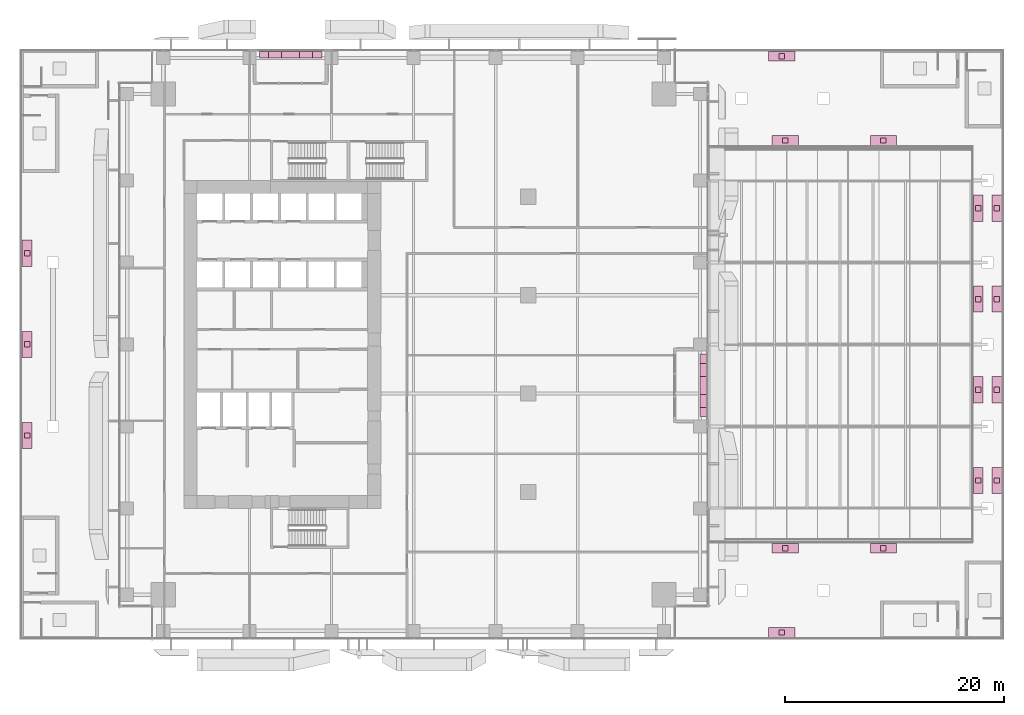
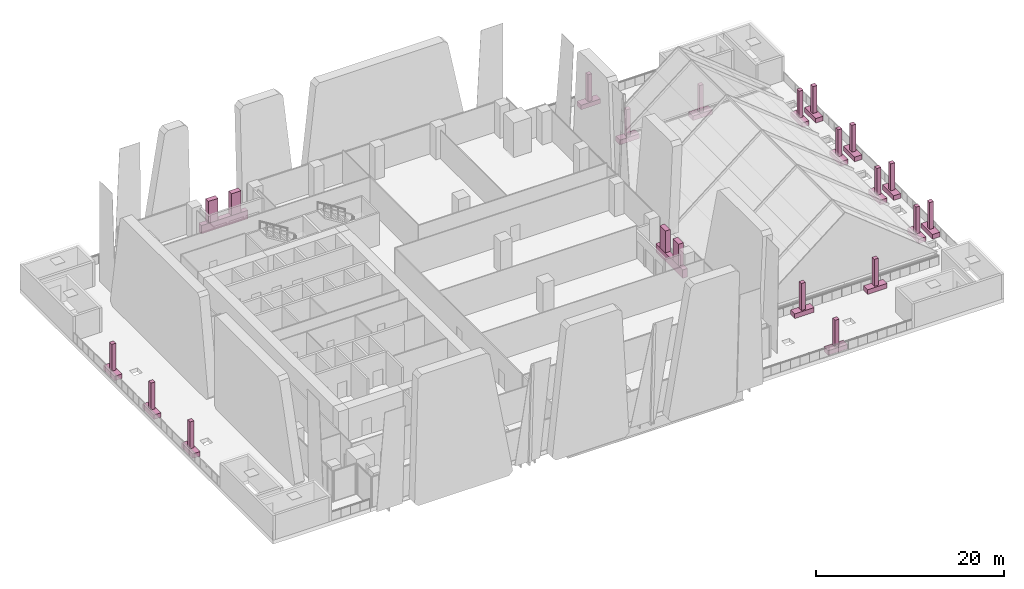
# One storey, part 46 of 46: 40 furnishings.
"""IFC4 building model written with IfcOpenShell, lengths in metres."""

import ifcopenshell
import ifcopenshell.guid

model = None  # the IFC model being written
_history = None  # IfcOwnerHistory: only IFC2X3 demands one
_inside = {}  # id of a spatial element -> (the spatial element, [elements in it])
_under = {}  # id of a project, library or spatial element -> (it, [spatial elements below it])
_declared = {}  # id of a project -> (the project, [libraries it declares])
_typed = {}  # id of a type object -> (the type object, [elements of that type])
_made_of = {}  # id of a material, layer set ... -> (it, [elements and type objects made of it])


def new_model(schema):
    """Start an empty IFC model of exactly this schema.

    Asked for "IFC4X3", IfcOpenShell would pick the latest addendum, in which some entities
    have other attributes; the version numbers below select the first issue.
    IFC2X3 requires an IfcOwnerHistory on every rooted entity: one is made here for all.
    """
    global model, _history
    if schema == "IFC4X3":
        model = ifcopenshell.file(schema_version=(4, 3, 0, 0))
    else:
        model = ifcopenshell.file(schema=schema)
    _inside.clear()
    _under.clear()
    _declared.clear()
    _typed.clear()
    _made_of.clear()
    _history = None
    if model.schema == "IFC2X3":
        org = make("IfcOrganization", Name="unknown")
        user = make(
            "IfcPersonAndOrganization",
            ThePerson=make("IfcPerson", FamilyName="unknown"),
            TheOrganization=org,
        )
        app = make(
            "IfcApplication",
            ApplicationDeveloper=org,
            Version="unknown",
            ApplicationFullName="unknown",
            ApplicationIdentifier="unknown",
        )
        _history = make(
            "IfcOwnerHistory",
            OwningUser=user,
            OwningApplication=app,
            ChangeAction="ADDED",
            CreationDate=0,
        )
    return model


def make(cls, **values):
    """One entity of the class cls with the attributes given. An attribute that is None is left unset."""
    return model.create_entity(
        cls, **{name: value for name, value in values.items() if value is not None}
    )


def rooted(cls, **values):
    """An entity with a GlobalId (a new one), such as an element, a storey or a relation."""
    return make(cls, GlobalId=ifcopenshell.guid.new(), OwnerHistory=_history, **values)


def si_unit(unit_type, name, prefix=None):
    """IfcSIUnit, for example si_unit("LENGTHUNIT", "METRE", prefix="MILLI")."""
    return make("IfcSIUnit", UnitType=unit_type, Prefix=prefix, Name=name)


def assignment(units):
    """IfcUnitAssignment: the units of a project."""
    return None if units is None else make("IfcUnitAssignment", Units=units)


def point(xyz):
    """IfcCartesianPoint."""
    return None if xyz is None else make("IfcCartesianPoint", Coordinates=xyz)


def direction(xyz):
    """IfcDirection."""
    return None if xyz is None else make("IfcDirection", DirectionRatios=xyz)


def frame(location, z_axis=None, x_axis=None):
    """IfcAxis2Placement3D, a coordinate frame: its origin and axes. An axis left out is left unset."""
    return make(
        "IfcAxis2Placement3D",
        Location=point(location),
        Axis=direction(z_axis),
        RefDirection=direction(x_axis),
    )


def frame_2d(location, x_axis=None):
    """IfcAxis2Placement2D, a coordinate frame in the plane: its origin and x axis."""
    return make(
        "IfcAxis2Placement2D", Location=point(location), RefDirection=direction(x_axis)
    )


def origin():
    """The frame at (0, 0, 0) with its axes left unset."""
    return frame((0.0, 0.0, 0.0))


def origin_2d():
    """The frame at (0, 0) in the plane with its x axis left unset."""
    return frame_2d((0.0, 0.0))


def place(relative_to, where):
    """IfcLocalPlacement: puts the frame where relative to a parent placement (None: the world)."""
    return make(
        "IfcLocalPlacement", PlacementRelTo=relative_to, RelativePlacement=where
    )


def context(
    kind, dimensions, precision=None, world=None, true_north=None, identifier=None
):
    """IfcGeometricRepresentationContext, for example the 3D "Model" context."""
    return make(
        "IfcGeometricRepresentationContext",
        ContextIdentifier=identifier,
        ContextType=kind,
        CoordinateSpaceDimension=dimensions,
        Precision=precision,
        WorldCoordinateSystem=world,
        TrueNorth=true_north,
    )


def subcontext(parent, identifier, kind, view, scale=None):
    """IfcGeometricRepresentationSubContext, for example "Body" below "Model"."""
    return make(
        "IfcGeometricRepresentationSubContext",
        ContextIdentifier=identifier,
        ContextType=kind,
        ParentContext=parent,
        TargetScale=scale,
        TargetView=view,
    )


def project(units=None, contexts=None):
    """IfcProject with its units and contexts."""
    return rooted(
        "IfcProject",
        Name="project",
        RepresentationContexts=contexts,
        UnitsInContext=assignment(units),
    )


def spatial(cls, under=None, at=None, **own):
    """A site, building, storey or space (cls), placed at a placement, below another one or the project."""
    s = rooted(cls, ObjectPlacement=at, **own)
    if under is not None:
        _under.setdefault(under.id(), (under, []))[1].append(s)
    return s


def profile(cls, at=None, kind="AREA", **sizes):
    """A parametric profile (cls). Its sizes go by their IFC names, for example OverallWidth=200.0."""
    return make(cls, ProfileType=kind, Position=at, **sizes)


def rectangle(**sizes):
    """IfcRectangleProfileDef."""
    return profile("IfcRectangleProfileDef", **sizes)


def extrude(swept, where, along, depth):
    """IfcExtrudedAreaSolid: the profile swept, set in the frame where, extruded along a direction by depth."""
    return make(
        "IfcExtrudedAreaSolid",
        SweptArea=swept,
        Position=where,
        ExtrudedDirection=direction(along),
        Depth=depth,
    )


def shape(context_of_items, identifier, shape_type, items):
    """IfcShapeRepresentation: the items that make up one representation, for example the "Body"."""
    return make(
        "IfcShapeRepresentation",
        ContextOfItems=context_of_items,
        RepresentationIdentifier=identifier,
        RepresentationType=shape_type,
        Items=items,
    )


def source(mapping_origin, context_of_items, identifier, shape_type, items):
    """IfcRepresentationMap: a shape defined once, which mapped items show again and again."""
    return make(
        "IfcRepresentationMap",
        MappingOrigin=mapping_origin,
        MappedRepresentation=shape(context_of_items, identifier, shape_type, items),
    )


def transform(
    local_origin,
    x_axis=None,
    y_axis=None,
    z_axis=None,
    scale=None,
    scale2=None,
    scale3=None,
    uniform=True,
):
    """IfcCartesianTransformationOperator3D, or its non-uniform kind. x_axis, y_axis, z_axis: its Axis1, 2, 3."""
    if uniform:
        return make(
            "IfcCartesianTransformationOperator3D",
            Axis1=direction(x_axis),
            Axis2=direction(y_axis),
            LocalOrigin=point(local_origin),
            Scale=scale,
            Axis3=direction(z_axis),
        )
    return make(
        "IfcCartesianTransformationOperator3DnonUniform",
        Axis1=direction(x_axis),
        Axis2=direction(y_axis),
        LocalOrigin=point(local_origin),
        Scale=scale,
        Axis3=direction(z_axis),
        Scale2=scale2,
        Scale3=scale3,
    )


def mapped(mapping_source, mapping_target):
    """IfcMappedItem: shows the shape of a source again, moved by a transform."""
    return make(
        "IfcMappedItem", MappingSource=mapping_source, MappingTarget=mapping_target
    )


def material(Name=None, Category=None):
    """IfcMaterial."""
    return make("IfcMaterial", Name=Name, Category=Category)


def made_of(thing, what):
    """Note that an element or type object is made of a material, layer set ...; save() writes the relation."""
    if what is not None:
        _made_of.setdefault(what.id(), (what, []))[1].append(thing)
    return thing


def type_object(cls, material=None, **own):
    """A type object (cls), such as IfcWallType, which elements share."""
    return made_of(rooted(cls, **own), material)


def element(
    cls,
    number,
    at=None,
    inside=None,
    cuts=None,
    type_object=None,
    material=None,
    context=None,
    identifier="Body",
    shape_type=None,
    held_by="IfcProductDefinitionShape",
    body=None,
    shapes=None,
    **own,
):
    """One element of the class cls, such as IfcWall. Its Tag is "e" and its number.

    at: its placement. inside: the storey or other place that contains it. cuts: it is an
    opening in that element (IfcRelVoidsElement). A single representation is given by context,
    identifier, shape_type and body (its items); several are given by shapes. held_by: the class
    of the entity that holds the representations. save() writes the other relations.
    """
    e = rooted(cls, Tag="e%d" % number, ObjectPlacement=at, **own)
    if body is not None:
        shapes = [shape(context, identifier, shape_type, body)]
    if shapes is not None:
        e.Representation = make(held_by, Representations=shapes)
    if inside is not None:
        _inside.setdefault(inside.id(), (inside, []))[1].append(e)
    if cuts is not None:
        rooted(
            "IfcRelVoidsElement", RelatingBuildingElement=cuts, RelatedOpeningElement=e
        )
    if type_object is not None:
        _typed.setdefault(type_object.id(), (type_object, []))[1].append(e)
    return made_of(e, material)


def aggregate(whole, parts):
    """IfcRelAggregates: a whole, such as a stair, and the parts it consists of."""
    return rooted("IfcRelAggregates", RelatingObject=whole, RelatedObjects=parts)


def save(model, path):
    """Write the relations noted so far, then the file.

    IfcRelAggregates (storeys below a building ...), IfcRelContainedInSpatialStructure (elements
    in a storey), IfcRelDefinesByType, IfcRelAssociatesMaterial and IfcRelDeclares: one each for
    every whole, place, type object, material and project.
    """
    for whole, parts in _under.values():
        aggregate(whole, parts)
    for where, things in _inside.values():
        rooted(
            "IfcRelContainedInSpatialStructure",
            RelatedElements=things,
            RelatingStructure=where,
        )
    for kind, things in _typed.values():
        rooted("IfcRelDefinesByType", RelatedObjects=things, RelatingType=kind)
    for what, things in _made_of.values():
        rooted("IfcRelAssociatesMaterial", RelatedObjects=things, RelatingMaterial=what)
    for by, libraries in _declared.values():
        rooted("IfcRelDeclares", RelatingContext=by, RelatedDefinitions=libraries)
    model.write(path)


model = new_model("IFC4")

# Units and contexts
model_context = context("Model", 3, precision=1e-05, world=origin(), true_north=direction((0.0, 1.0)))
body_context = subcontext(model_context, "Body", "Model", "MODEL_VIEW")
ifc_project = project(units=[si_unit("LENGTHUNIT", "METRE"), si_unit("AREAUNIT", "SQUARE_METRE"), si_unit("VOLUMEUNIT", "CUBIC_METRE"), si_unit("PLANEANGLEUNIT", "RADIAN"), si_unit("MASSUNIT", "GRAM", prefix="KILO")], contexts=[model_context])

# Site, building, storey
site_placement = place(None, origin())
site = spatial("IfcSite", under=ifc_project, at=site_placement, CompositionType="ELEMENT")
building_placement = place(site_placement, origin())
building = spatial("IfcBuilding", under=site, at=building_placement, Name="Khomas Fold Tower", CompositionType="ELEMENT")
storey_placement = place(building_placement, frame((0.0, 0.0, 33.0)))
storey = spatial("IfcBuildingStorey", under=building, at=storey_placement, Name="L06", CompositionType="ELEMENT", Elevation=33.0)

# Furnishings
ifc_material_1 = material(Name="Precast concrete C40/50", Category="concrete")
furnishing_element_type_1 = type_object("IfcFurnishingElementType", Name="BL-Structural planter box", material=ifc_material_1)
shared_shape_1 = source(origin(), body_context, "Body", "SweptSolid", [
    extrude(rectangle(XDim=5.699951171875, YDim=0.60009765625, at=origin_2d()), origin(), (0.0, 0.0, 1.0), 1.10009765625),
])
for number, where, z_axis, x_axis, name in (
    (1, (15.75, 53.5, -0.045166015625), (0.0, 0.0, 1.0), (1.0, 0.0, 0.0), "PLANTER BAL-L06-N1"),
    (2, (53.5, 23.25, -0.045166015625), (0.0, 0.0, 1.0), (0.0, 1.0, 0.0), "PLANTER BAL-L06-E2"),
):
    element("IfcFurnishingElement", number, at=place(storey_placement, frame(where, z_axis=z_axis, x_axis=x_axis)), inside=storey, type_object=furnishing_element_type_1, Name=name, context=body_context, shape_type="MappedRepresentation", body=[
        mapped(shared_shape_1, transform((0.0, 0.0, 0.0))),
    ])
ifc_material_2 = material(Name="Planting")
furnishing_element_type_2 = type_object("IfcFurnishingElementType", Name="BL-Tree Karee", material=ifc_material_2)
shared_shape_2 = source(origin(), body_context, "Body", "SweptSolid", [
    extrude(rectangle(XDim=1.199951171875, YDim=0.60009765625, at=origin_2d()), origin(), (0.0, 0.0, 1.0), 2.844970703125),
])
furnishing_1_placement = place(storey_placement, frame((14.324951171875, 53.5, 1.05517578125), z_axis=(0.0, 0.0, 1.0), x_axis=(1.0, 0.0, 0.0)))
element("IfcFurnishingElement", 3, at=furnishing_1_placement, inside=storey, type_object=furnishing_element_type_2, Name="PLANTER (TREE) Karee BAL-L06-N1-1", context=body_context, shape_type="MappedRepresentation", body=[
    mapped(shared_shape_2, transform((0.0, 0.0, 0.0))),
])
ifc_material_3 = material(Name="Planting")
furnishing_element_type_3 = type_object("IfcFurnishingElementType", Name="BL-Tree Wild olive", material=ifc_material_3)
furnishing_2_placement = place(storey_placement, frame((17.175048828125, 53.5, 1.05517578125), z_axis=(0.0, 0.0, 1.0), x_axis=(1.0, 0.0, 0.0)))
element("IfcFurnishingElement", 4, at=furnishing_2_placement, inside=storey, type_object=furnishing_element_type_3, Name="PLANTER (TREE) Wild olive BAL-L06-N1-2", context=body_context, shape_type="MappedRepresentation", body=[
    mapped(shared_shape_2, transform((0.0, 0.0, 0.0))),
])
furnishing_3_placement = place(storey_placement, frame((53.5, 21.824951171875, 1.05517578125), z_axis=(0.0, 0.0, 1.0), x_axis=(0.0, 1.0, 0.0)))
element("IfcFurnishingElement", 5, at=furnishing_3_placement, inside=storey, type_object=furnishing_element_type_2, Name="PLANTER (TREE) Karee BAL-L06-E2-1", context=body_context, shape_type="MappedRepresentation", body=[
    mapped(shared_shape_2, transform((0.0, 0.0, 0.0))),
])
furnishing_4_placement = place(storey_placement, frame((53.5, 24.675048828125, 1.05517578125), z_axis=(0.0, 0.0, 1.0), x_axis=(0.0, 1.0, 0.0)))
element("IfcFurnishingElement", 6, at=furnishing_4_placement, inside=storey, type_object=furnishing_element_type_3, Name="PLANTER (TREE) Wild olive BAL-L06-E2-2", context=body_context, shape_type="MappedRepresentation", body=[
    mapped(shared_shape_2, transform((0.0, 0.0, 0.0))),
])
ifc_material_4 = material(Name="Precast concrete C40/50", Category="concrete")
furnishing_element_type_4 = type_object("IfcFurnishingElementType", Name="Podium planter box", material=ifc_material_4)
shared_shape_3 = source(origin(), body_context, "Body", "SweptSolid", [
    extrude(rectangle(XDim=2.39990234375, YDim=0.89990234375, at=origin_2d()), origin(), (0.0, 0.0, 1.0), 0.60009765625),
])
for number, where, z_axis, x_axis, name in (
    (7, (80.35009765625, 39.449951171875, 0.0), (0.0, 0.0, 1.0), (0.0, -1.0, 0.0), "Roof garden planter"),
    (8, (80.35009765625, 31.14990234375, 0.0), (0.0, 0.0, 1.0), (0.0, -1.0, 0.0), "Roof garden planter"),
    (9, (80.35009765625, 22.85009765625, 0.0), (0.0, 0.0, 1.0), (0.0, -1.0, 0.0), "Roof garden planter"),
    (10, (80.35009765625, 14.550048828125, 0.0), (0.0, 0.0, 1.0), (0.0, -1.0, 0.0), "Roof garden planter"),
    (11, (60.672119140625, 0.64990234375, 0.0), (0.0, 0.0, 1.0), (-1.0, 0.0, 0.0), "Roof garden planter"),
    (12, (60.99169921875, 8.35009765625, 0.0), (0.0, 0.0, 1.0), (1.0, 0.0, 0.0), "Roof garden planter"),
    (13, (69.97509765625, 8.35009765625, 0.0), (0.0, 0.0, 1.0), (1.0, 0.0, 0.0), "Roof garden planter"),
    (14, (78.64990234375, 14.550048828125, 0.0), (0.0, 0.0, 1.0), (0.0, 1.0, 0.0), "Roof garden planter"),
    (15, (78.64990234375, 22.85009765625, 0.0), (0.0, 0.0, 1.0), (0.0, 1.0, 0.0), "Roof garden planter"),
    (16, (78.64990234375, 31.14990234375, 0.0), (0.0, 0.0, 1.0), (0.0, 1.0, 0.0), "Roof garden planter"),
    (17, (78.64990234375, 39.449951171875, 0.0), (0.0, 0.0, 1.0), (0.0, 1.0, 0.0), "Roof garden planter"),
    (18, (69.97509765625, 45.64990234375, 0.0), (0.0, 0.0, 1.0), (-1.0, 0.0, 0.0), "Roof garden planter"),
    (19, (60.99169921875, 45.64990234375, 0.0), (0.0, 0.0, 1.0), (-1.0, 0.0, 0.0), "Roof garden planter"),
    (20, (60.672119140625, 53.35009765625, 0.0), (0.0, 0.0, 1.0), (1.0, 0.0, 0.0), "Roof garden planter"),
    (21, (-8.35009765625, 18.666748046875, 0.0), (0.0, 0.0, 1.0), (0.0, 1.0, 0.0), "Roof garden planter"),
    (22, (-8.35009765625, 27.0, 0.0), (0.0, 0.0, 1.0), (0.0, 1.0, 0.0), "Roof garden planter"),
    (23, (-8.35009765625, 35.333251953125, 0.0), (0.0, 0.0, 1.0), (0.0, 1.0, 0.0), "Roof garden planter"),
):
    element("IfcFurnishingElement", number, at=place(storey_placement, frame(where, z_axis=z_axis, x_axis=x_axis)), inside=storey, type_object=furnishing_element_type_4, Name=name, context=body_context, shape_type="MappedRepresentation", body=[
        mapped(shared_shape_3, transform((0.0, 0.0, 0.0))),
    ])
ifc_material_5 = material(Name="Planting")
furnishing_element_type_5 = type_object("IfcFurnishingElementType", Name="Podium tree", material=ifc_material_5)
shared_shape_4 = source(origin(), body_context, "Body", "SweptSolid", [
    extrude(rectangle(XDim=0.5, YDim=0.5, at=origin_2d()), origin(), (0.0, 0.0, 1.0), 3.5),
])
for number, where, z_axis, x_axis, name in (
    (24, (80.35009765625, 39.449951171875, 0.60009765625), (0.0, 0.0, 1.0), (1.0, 0.0, 0.0), "Roof garden tree"),
    (25, (80.35009765625, 31.14990234375, 0.60009765625), (0.0, 0.0, 1.0), (1.0, 0.0, 0.0), "Roof garden tree"),
    (26, (80.35009765625, 22.85009765625, 0.60009765625), (0.0, 0.0, 1.0), (1.0, 0.0, 0.0), "Roof garden tree"),
    (27, (80.35009765625, 14.550048828125, 0.60009765625), (0.0, 0.0, 1.0), (1.0, 0.0, 0.0), "Roof garden tree"),
    (28, (60.672119140625, 0.64990234375, 0.60009765625), (0.0, 0.0, 1.0), (1.0, 0.0, 0.0), "Roof garden tree"),
    (29, (60.99169921875, 8.35009765625, 0.60009765625), (0.0, 0.0, 1.0), (1.0, 0.0, 0.0), "Roof garden tree"),
    (30, (69.97509765625, 8.35009765625, 0.60009765625), (0.0, 0.0, 1.0), (1.0, 0.0, 0.0), "Roof garden tree"),
    (31, (78.64990234375, 14.550048828125, 0.60009765625), (0.0, 0.0, 1.0), (1.0, 0.0, 0.0), "Roof garden tree"),
    (32, (78.64990234375, 22.85009765625, 0.60009765625), (0.0, 0.0, 1.0), (1.0, 0.0, 0.0), "Roof garden tree"),
    (33, (78.64990234375, 31.14990234375, 0.60009765625), (0.0, 0.0, 1.0), (1.0, 0.0, 0.0), "Roof garden tree"),
    (34, (78.64990234375, 39.449951171875, 0.60009765625), (0.0, 0.0, 1.0), (1.0, 0.0, 0.0), "Roof garden tree"),
    (35, (69.97509765625, 45.64990234375, 0.60009765625), (0.0, 0.0, 1.0), (1.0, 0.0, 0.0), "Roof garden tree"),
    (36, (60.99169921875, 45.64990234375, 0.60009765625), (0.0, 0.0, 1.0), (1.0, 0.0, 0.0), "Roof garden tree"),
    (37, (60.672119140625, 53.35009765625, 0.60009765625), (0.0, 0.0, 1.0), (1.0, 0.0, 0.0), "Roof garden tree"),
    (38, (-8.35009765625, 18.666748046875, 0.60009765625), (0.0, 0.0, 1.0), (1.0, 0.0, 0.0), "Roof garden tree"),
    (39, (-8.35009765625, 27.0, 0.60009765625), (0.0, 0.0, 1.0), (1.0, 0.0, 0.0), "Roof garden tree"),
    (40, (-8.35009765625, 35.333251953125, 0.60009765625), (0.0, 0.0, 1.0), (1.0, 0.0, 0.0), "Roof garden tree"),
):
    element("IfcFurnishingElement", number, at=place(storey_placement, frame(where, z_axis=z_axis, x_axis=x_axis)), inside=storey, type_object=furnishing_element_type_5, Name=name, context=body_context, shape_type="MappedRepresentation", body=[
        mapped(shared_shape_4, transform((0.0, 0.0, 0.0))),
    ])

save(model, "model.ifc")
